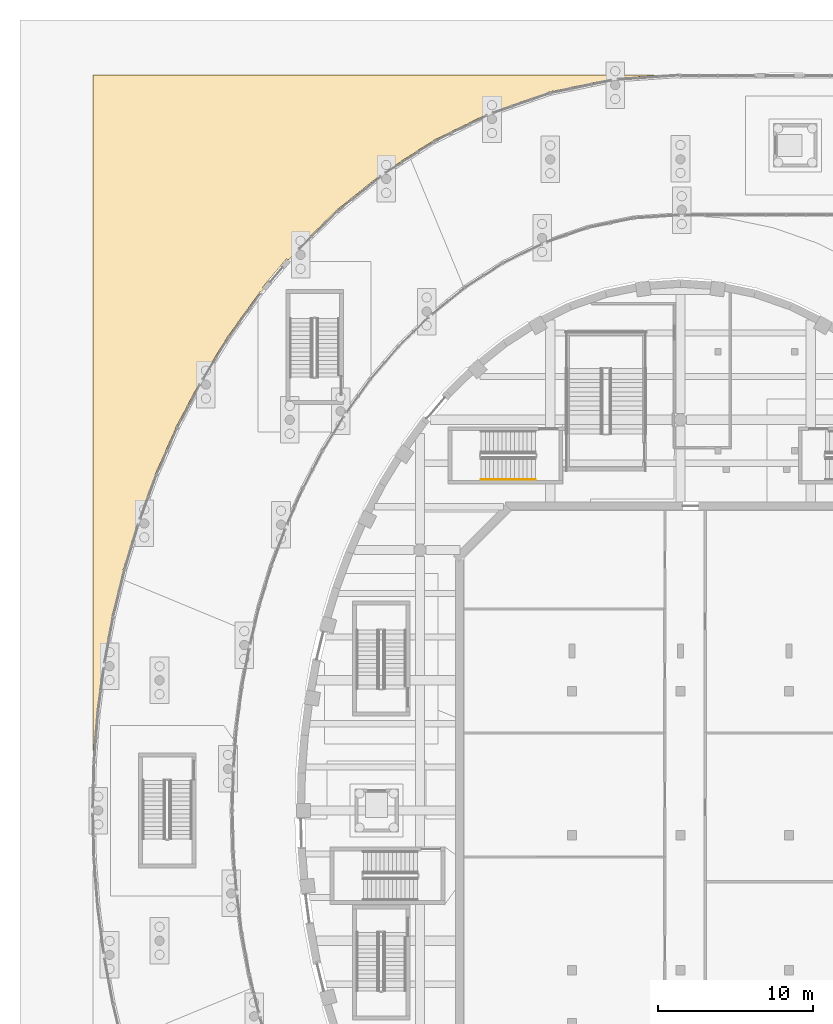
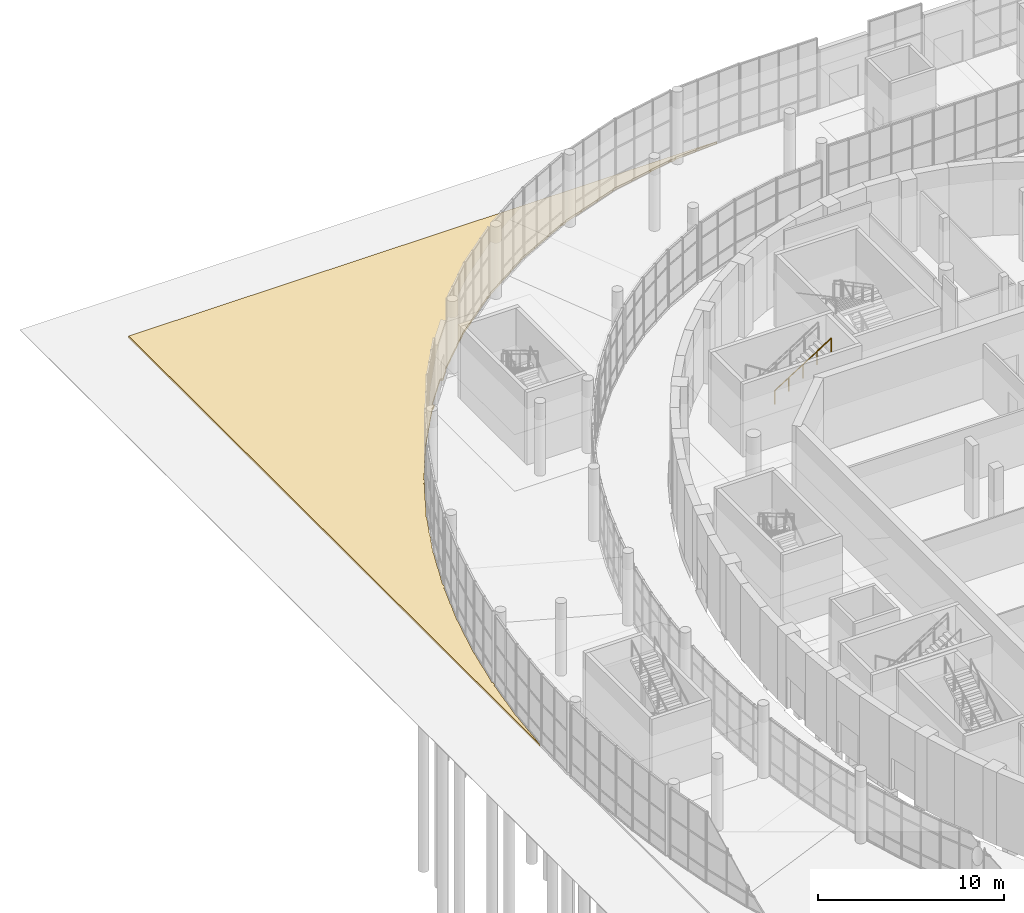
# One storey, part 99 of 110: 1 covering, 1 railing.
"""IFC4 building model written with IfcOpenShell, lengths in metres."""

import ifcopenshell
import ifcopenshell.guid

model = None  # the IFC model being written
_history = None  # IfcOwnerHistory: only IFC2X3 demands one
_inside = {}  # id of a spatial element -> (the spatial element, [elements in it])
_under = {}  # id of a project, library or spatial element -> (it, [spatial elements below it])
_declared = {}  # id of a project -> (the project, [libraries it declares])
_typed = {}  # id of a type object -> (the type object, [elements of that type])
_made_of = {}  # id of a material, layer set ... -> (it, [elements and type objects made of it])


def new_model(schema):
    """Start an empty IFC model of exactly this schema.

    Asked for "IFC4X3", IfcOpenShell would pick the latest addendum, in which some entities
    have other attributes; the version numbers below select the first issue.
    IFC2X3 requires an IfcOwnerHistory on every rooted entity: one is made here for all.
    """
    global model, _history
    if schema == "IFC4X3":
        model = ifcopenshell.file(schema_version=(4, 3, 0, 0))
    else:
        model = ifcopenshell.file(schema=schema)
    _inside.clear()
    _under.clear()
    _declared.clear()
    _typed.clear()
    _made_of.clear()
    _history = None
    if model.schema == "IFC2X3":
        org = make("IfcOrganization", Name="unknown")
        user = make(
            "IfcPersonAndOrganization",
            ThePerson=make("IfcPerson", FamilyName="unknown"),
            TheOrganization=org,
        )
        app = make(
            "IfcApplication",
            ApplicationDeveloper=org,
            Version="unknown",
            ApplicationFullName="unknown",
            ApplicationIdentifier="unknown",
        )
        _history = make(
            "IfcOwnerHistory",
            OwningUser=user,
            OwningApplication=app,
            ChangeAction="ADDED",
            CreationDate=0,
        )
    return model


def make(cls, **values):
    """One entity of the class cls with the attributes given. An attribute that is None is left unset."""
    return model.create_entity(
        cls, **{name: value for name, value in values.items() if value is not None}
    )


def rooted(cls, **values):
    """An entity with a GlobalId (a new one), such as an element, a storey or a relation."""
    return make(cls, GlobalId=ifcopenshell.guid.new(), OwnerHistory=_history, **values)


def si_unit(unit_type, name, prefix=None):
    """IfcSIUnit, for example si_unit("LENGTHUNIT", "METRE", prefix="MILLI")."""
    return make("IfcSIUnit", UnitType=unit_type, Prefix=prefix, Name=name)


def assignment(units):
    """IfcUnitAssignment: the units of a project."""
    return None if units is None else make("IfcUnitAssignment", Units=units)


def point(xyz):
    """IfcCartesianPoint."""
    return None if xyz is None else make("IfcCartesianPoint", Coordinates=xyz)


def direction(xyz):
    """IfcDirection."""
    return None if xyz is None else make("IfcDirection", DirectionRatios=xyz)


def frame(location, z_axis=None, x_axis=None):
    """IfcAxis2Placement3D, a coordinate frame: its origin and axes. An axis left out is left unset."""
    return make(
        "IfcAxis2Placement3D",
        Location=point(location),
        Axis=direction(z_axis),
        RefDirection=direction(x_axis),
    )


def frame_2d(location, x_axis=None):
    """IfcAxis2Placement2D, a coordinate frame in the plane: its origin and x axis."""
    return make(
        "IfcAxis2Placement2D", Location=point(location), RefDirection=direction(x_axis)
    )


def origin():
    """The frame at (0, 0, 0) with its axes left unset."""
    return frame((0.0, 0.0, 0.0))


def origin_2d():
    """The frame at (0, 0) in the plane with its x axis left unset."""
    return frame_2d((0.0, 0.0))


def place(relative_to, where):
    """IfcLocalPlacement: puts the frame where relative to a parent placement (None: the world)."""
    return make(
        "IfcLocalPlacement", PlacementRelTo=relative_to, RelativePlacement=where
    )


def context(
    kind, dimensions, precision=None, world=None, true_north=None, identifier=None
):
    """IfcGeometricRepresentationContext, for example the 3D "Model" context."""
    return make(
        "IfcGeometricRepresentationContext",
        ContextIdentifier=identifier,
        ContextType=kind,
        CoordinateSpaceDimension=dimensions,
        Precision=precision,
        WorldCoordinateSystem=world,
        TrueNorth=true_north,
    )


def subcontext(parent, identifier, kind, view, scale=None):
    """IfcGeometricRepresentationSubContext, for example "Body" below "Model"."""
    return make(
        "IfcGeometricRepresentationSubContext",
        ContextIdentifier=identifier,
        ContextType=kind,
        ParentContext=parent,
        TargetScale=scale,
        TargetView=view,
    )


def project(units=None, contexts=None):
    """IfcProject with its units and contexts."""
    return rooted(
        "IfcProject",
        Name="project",
        RepresentationContexts=contexts,
        UnitsInContext=assignment(units),
    )


def spatial(cls, under=None, at=None, **own):
    """A site, building, storey or space (cls), placed at a placement, below another one or the project."""
    s = rooted(cls, ObjectPlacement=at, **own)
    if under is not None:
        _under.setdefault(under.id(), (under, []))[1].append(s)
    return s


def polyline(points):
    """IfcPolyline through the points."""
    return make("IfcPolyline", Points=[point(p) for p in points])


def profile(cls, at=None, kind="AREA", **sizes):
    """A parametric profile (cls). Its sizes go by their IFC names, for example OverallWidth=200.0."""
    return make(cls, ProfileType=kind, Position=at, **sizes)


def circle(**sizes):
    """IfcCircleProfileDef."""
    return profile("IfcCircleProfileDef", **sizes)


def outline(outer, holes=None, kind="AREA"):
    """IfcArbitraryClosedProfileDef: a profile drawn as a closed curve; with holes, ...WithVoids."""
    if holes is None:
        return make("IfcArbitraryClosedProfileDef", ProfileType=kind, OuterCurve=outer)
    return make(
        "IfcArbitraryProfileDefWithVoids",
        ProfileType=kind,
        OuterCurve=outer,
        InnerCurves=holes,
    )


def extrude(swept, where, along, depth):
    """IfcExtrudedAreaSolid: the profile swept, set in the frame where, extruded along a direction by depth."""
    return make(
        "IfcExtrudedAreaSolid",
        SweptArea=swept,
        Position=where,
        ExtrudedDirection=direction(along),
        Depth=depth,
    )


def shape(context_of_items, identifier, shape_type, items):
    """IfcShapeRepresentation: the items that make up one representation, for example the "Body"."""
    return make(
        "IfcShapeRepresentation",
        ContextOfItems=context_of_items,
        RepresentationIdentifier=identifier,
        RepresentationType=shape_type,
        Items=items,
    )


def material(Name=None, Category=None):
    """IfcMaterial."""
    return make("IfcMaterial", Name=Name, Category=Category)


def layer(
    of_material, thickness, ventilated=None, Name=None, Category=None, Priority=None
):
    """IfcMaterialLayer: one layer of a wall or slab, of a material (None: an air gap)."""
    return make(
        "IfcMaterialLayer",
        Material=of_material,
        LayerThickness=thickness,
        IsVentilated=ventilated,
        Name=Name,
        Category=Category,
        Priority=Priority,
    )


def layer_set(layers, Name=None):
    """IfcMaterialLayerSet."""
    return make("IfcMaterialLayerSet", MaterialLayers=layers, LayerSetName=Name)


def made_of(thing, what):
    """Note that an element or type object is made of a material, layer set ...; save() writes the relation."""
    if what is not None:
        _made_of.setdefault(what.id(), (what, []))[1].append(thing)
    return thing


def type_object(cls, material=None, **own):
    """A type object (cls), such as IfcWallType, which elements share."""
    return made_of(rooted(cls, **own), material)


def element(
    cls,
    number,
    at=None,
    inside=None,
    cuts=None,
    type_object=None,
    material=None,
    context=None,
    identifier="Body",
    shape_type=None,
    held_by="IfcProductDefinitionShape",
    body=None,
    shapes=None,
    **own,
):
    """One element of the class cls, such as IfcWall. Its Tag is "e" and its number.

    at: its placement. inside: the storey or other place that contains it. cuts: it is an
    opening in that element (IfcRelVoidsElement). A single representation is given by context,
    identifier, shape_type and body (its items); several are given by shapes. held_by: the class
    of the entity that holds the representations. save() writes the other relations.
    """
    e = rooted(cls, Tag="e%d" % number, ObjectPlacement=at, **own)
    if body is not None:
        shapes = [shape(context, identifier, shape_type, body)]
    if shapes is not None:
        e.Representation = make(held_by, Representations=shapes)
    if inside is not None:
        _inside.setdefault(inside.id(), (inside, []))[1].append(e)
    if cuts is not None:
        rooted(
            "IfcRelVoidsElement", RelatingBuildingElement=cuts, RelatedOpeningElement=e
        )
    if type_object is not None:
        _typed.setdefault(type_object.id(), (type_object, []))[1].append(e)
    return made_of(e, material)


def aggregate(whole, parts):
    """IfcRelAggregates: a whole, such as a stair, and the parts it consists of."""
    return rooted("IfcRelAggregates", RelatingObject=whole, RelatedObjects=parts)


def save(model, path):
    """Write the relations noted so far, then the file.

    IfcRelAggregates (storeys below a building ...), IfcRelContainedInSpatialStructure (elements
    in a storey), IfcRelDefinesByType, IfcRelAssociatesMaterial and IfcRelDeclares: one each for
    every whole, place, type object, material and project.
    """
    for whole, parts in _under.values():
        aggregate(whole, parts)
    for where, things in _inside.values():
        rooted(
            "IfcRelContainedInSpatialStructure",
            RelatedElements=things,
            RelatingStructure=where,
        )
    for kind, things in _typed.values():
        rooted("IfcRelDefinesByType", RelatedObjects=things, RelatingType=kind)
    for what, things in _made_of.values():
        rooted("IfcRelAssociatesMaterial", RelatedObjects=things, RelatingMaterial=what)
    for by, libraries in _declared.values():
        rooted("IfcRelDeclares", RelatingContext=by, RelatedDefinitions=libraries)
    model.write(path)


model = new_model("IFC4")

# Units and contexts
model_context = context("Model", 3, precision=1e-05, world=origin(), true_north=direction((0.0, 1.0)))
body_context = subcontext(model_context, "Body", "Model", "MODEL_VIEW")
ifc_project = project(units=[si_unit("LENGTHUNIT", "METRE"), si_unit("AREAUNIT", "SQUARE_METRE"), si_unit("VOLUMEUNIT", "CUBIC_METRE"), si_unit("PLANEANGLEUNIT", "RADIAN"), si_unit("MASSUNIT", "GRAM", prefix="KILO")], contexts=[model_context])

# Site, building, storey
site_placement = place(None, origin())
site = spatial("IfcSite", under=ifc_project, at=site_placement, CompositionType="ELEMENT")
building_placement = place(site_placement, origin())
building = spatial("IfcBuilding", under=site, at=building_placement, Name="Larchfold Concert Hall", CompositionType="ELEMENT")
storey_placement = place(building_placement, origin())
storey = spatial("IfcBuildingStorey", under=building, at=storey_placement, Name="L00", CompositionType="ELEMENT", Elevation=0.0)

# Covering
ifc_material_1 = material(Name="Paving", Category="finish")
ifc_layer = layer(ifc_material_1, 0.14990234375)
ifc_layer_set = layer_set([ifc_layer], Name="Paving")
covering_type = type_object("IfcCoveringType", Name="Site paving 150", PredefinedType="FLOORING", material=ifc_layer_set)
covering_placement = place(storey_placement, frame((0.0, 0.0, -0.150146484375)))
element("IfcCovering", 1, at=covering_placement, inside=storey, type_object=covering_type, Name="Site paving SP0002", PredefinedType="FLOORING", context=body_context, shape_type="SweptSolid", body=[
    extrude(outline(polyline([(41.225341796875, 132.03173828125), (4.69580078125, 132.031982421875), (4.695556640625, 87.803466796875), (4.822998046875, 89.229248046875), (4.802734375, 89.285400390625), (4.817626953125, 89.338623046875), (4.94189453125, 90.760986328125), (4.921875, 90.817138671875), (4.927978515625, 90.876953125), (4.94287109375, 90.929931640625), (5.13427734375, 92.2685546875), (5.116943359375, 92.321044921875), (5.1318359375, 92.374267578125), (5.3232421875, 93.712890625), (5.305908203125, 93.765380859375), (5.32080078125, 93.818359375), (5.36279296875, 93.854248046875), (5.406982421875, 93.968017578125), (5.42626953125, 94.07177734375), (5.385009765625, 94.10498046875), (5.367919921875, 94.157470703125), (5.3828125, 94.21044921875), (5.6494140625, 95.55029296875), (5.635009765625, 95.598388671875), (5.64990234375, 95.6513671875), (5.916748046875, 96.9912109375), (5.90234375, 97.039306640625), (5.915771484375, 97.089599609375), (5.9296875, 97.151123046875), (6.294921875, 98.571044921875), (6.284423828125, 98.6328125), (6.309326171875, 98.68212890625), (6.6630859375, 100.08740234375), (6.652587890625, 100.1494140625), (6.66845703125, 100.207275390625), (6.693359375, 100.25634765625), (7.10986328125, 101.576904296875), (7.101806640625, 101.634033203125), (7.126708984375, 101.683349609375), (7.543212890625, 103.00390625), (7.53515625, 103.06103515625), (7.560302734375, 103.1103515625), (7.6083984375, 103.13720703125), (7.666748046875, 103.23876953125), (7.705078125, 103.3427734375), (7.669189453125, 103.384765625), (7.66259765625, 103.439453125), (7.6875, 103.488525390625), (8.190185546875, 104.80029296875), (8.184814453125, 104.852783203125), (8.209716796875, 104.90185546875), (8.71240234375, 106.21337890625), (8.70703125, 106.26611328125), (8.7294921875, 106.321533203125), (8.75439453125, 106.370849609375), (9.385498046875, 107.751708984375), (9.382568359375, 107.80224609375), (9.40673828125, 107.847412109375), (10.0380859375, 109.228515625), (10.03515625, 109.27880859375), (10.059326171875, 109.32421875), (10.085205078125, 109.378173828125), (10.78271484375, 110.667236328125), (10.785888671875, 110.725830078125), (10.81982421875, 110.76904296875), (11.503173828125, 112.0458984375), (11.50634765625, 112.1044921875), (11.540283203125, 112.14794921875), (11.5927734375, 112.1650390625), (11.67041015625, 112.25830078125), (11.727783203125, 112.3515625), (11.700927734375, 112.399658203125), (11.705078125, 112.45458984375), (11.7392578125, 112.497802734375), (12.53271484375, 113.7548828125), (12.53759765625, 113.807373046875), (12.571533203125, 113.8505859375), (13.365234375, 115.107666015625), (13.369873046875, 115.16015625), (13.400390625, 115.200439453125), (13.426025390625, 115.243896484375), (13.47119140625, 115.26806640625), (14.061279296875, 116.0810546875), (14.075439453125, 116.142578125), (14.1171875, 116.178466796875), (14.742431640625, 117.021484375), (14.756591796875, 117.0830078125), (14.79833984375, 117.118896484375), (15.40625, 117.9375), (15.420166015625, 117.999267578125), (15.462158203125, 118.03515625), (15.516845703125, 118.04150390625), (15.72412109375, 118.243896484375), (15.62548828125, 118.328369140625), (17.1845703125, 120.179443359375), (17.3115234375, 120.09716796875), (17.825927734375, 120.697509765625), (17.90625, 120.776123046875), (17.8916015625, 120.82470703125), (17.906494140625, 120.877685546875), (17.948486328125, 120.91357421875), (18.704345703125, 121.626708984375), (18.72119140625, 121.675537109375), (18.7607421875, 121.7080078125), (19.538330078125, 122.442138671875), (19.55517578125, 122.490966796875), (19.5947265625, 122.523681640625), (20.350830078125, 123.236572265625), (20.367431640625, 123.28564453125), (20.4072265625, 123.318115234375), (20.4521484375, 123.35791015625), (21.31005859375, 124.020751953125), (21.335205078125, 124.072021484375), (21.38330078125, 124.098876953125), (22.2470703125, 124.77490234375), (22.272216796875, 124.826171875), (22.3203125, 124.85302734375), (23.16064453125, 125.510009765625), (23.185791015625, 125.561279296875), (23.23388671875, 125.58837890625), (23.288818359375, 125.583984375), (23.403076171875, 125.64111328125), (23.499267578125, 125.703125), (23.494384765625, 125.75341796875), (23.51953125, 125.802490234375), (23.567626953125, 125.829345703125), (24.51611328125, 126.418212890625), (24.5419921875, 126.46240234375), (24.587158203125, 126.486572265625), (25.56103515625, 127.091796875), (25.5869140625, 127.135986328125), (25.632080078125, 127.16015625), (26.580810546875, 127.7490234375), (26.606689453125, 127.793212890625), (26.65185546875, 127.8173828125), (26.703857421875, 127.846923828125), (27.759033203125, 128.342529296875), (27.79296875, 128.385986328125), (27.845458984375, 128.403076171875), (28.908935546875, 128.909912109375), (28.94287109375, 128.953125), (28.995361328125, 128.97021484375), (30.03173828125, 129.4638671875), (30.06591796875, 129.507080078125), (30.118408203125, 129.524169921875), (30.17138671875, 129.50927734375), (30.298828125, 129.53955078125), (30.410888671875, 129.578857421875), (30.41796875, 129.628662109375), (30.450439453125, 129.668212890625), (30.5029296875, 129.685302734375), (31.638916015625, 130.0595703125), (31.683837890625, 130.101318359375), (31.738525390625, 130.107666015625), (32.88427734375, 130.4931640625), (32.92919921875, 130.534912109375), (32.984130859375, 130.54150390625), (34.101318359375, 130.917236328125), (34.146484375, 130.958984375), (34.2041015625, 130.974853515625), (34.2587890625, 130.9814453125), (35.453857421875, 131.210693359375), (35.494384765625, 131.242919921875), (35.54736328125, 131.24853515625), (36.771728515625, 131.48388671875), (36.812255859375, 131.51611328125), (36.865234375, 131.521728515625), (38.060302734375, 131.751220703125), (38.100830078125, 131.783447265625), (38.15380859375, 131.7890625), (38.202880859375, 131.76416015625), (38.33984375, 131.758056640625), (38.462158203125, 131.7666015625), (38.4873046875, 131.81884765625), (38.535400390625, 131.845703125), (38.59033203125, 131.841552734375), (39.815185546875, 131.91015625), (39.863525390625, 131.937255859375), (39.91845703125, 131.93310546875), (41.17333984375, 132.003662109375), (41.225341796875, 132.03173828125)])), origin(), (0.0, 0.0, 1.0), 0.150146484375),
])

# Railing
ifc_material_2 = material(Name="Stainless steel handrail", Category="steel")
railing_type = type_object("IfcRailingType", Name="Stair handrail 900", PredefinedType="HANDRAIL", material=ifc_material_2)
railing_placement = place(storey_placement, frame((29.739990234375, 105.9501953125, 2.571533203125)))
element("IfcRailing", 2, at=railing_placement, inside=storey, type_object=railing_type, Name="Handrail HR0010", PredefinedType="HANDRAIL", context=body_context, shape_type="SweptSolid", body=[
    extrude(circle(Radius=0.02392578125, at=origin_2d()), frame((0.0, 0.0, 0.8759765625), z_axis=(0.844219563411, 0.0, 0.53599750816), x_axis=(0.0, 1.0, 0.0)), (0.0, 0.0, 1.0), 4.15771484375),
    extrude(circle(Radius=0.02099609375, at=origin_2d()), origin(), (0.0, 0.0, 1.0), 0.851806640625),
    extrude(circle(Radius=0.02099609375, at=origin_2d()), frame((0.87744140625, 0.0, 0.55712890625)), (0.0, 0.0, 1.0), 0.851806640625),
    extrude(circle(Radius=0.02099609375, at=origin_2d()), frame((1.7548828125, 0.0, 1.1142578125)), (0.0, 0.0, 1.0), 0.851806640625),
    extrude(circle(Radius=0.02099609375, at=origin_2d()), frame((2.632568359375, 0.0, 1.67138671875)), (0.0, 0.0, 1.0), 0.851806640625),
    extrude(circle(Radius=0.02099609375, at=origin_2d()), frame((3.510009765625, 0.0, 2.228515625)), (0.0, 0.0, 1.0), 0.851806640625),
])

save(model, "model.ifc")
